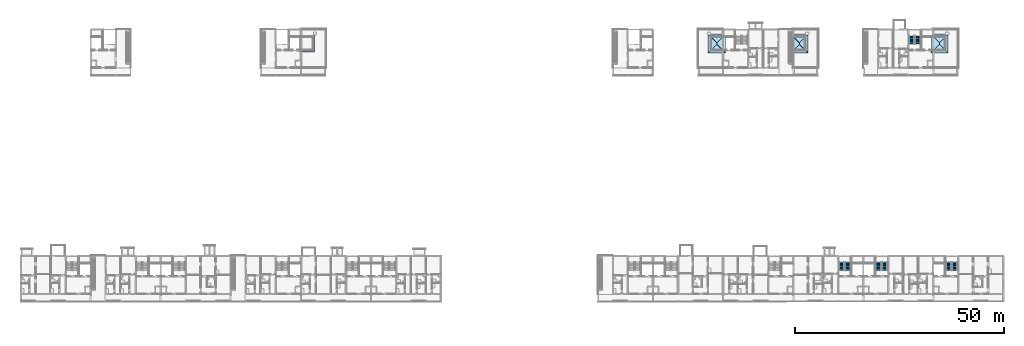
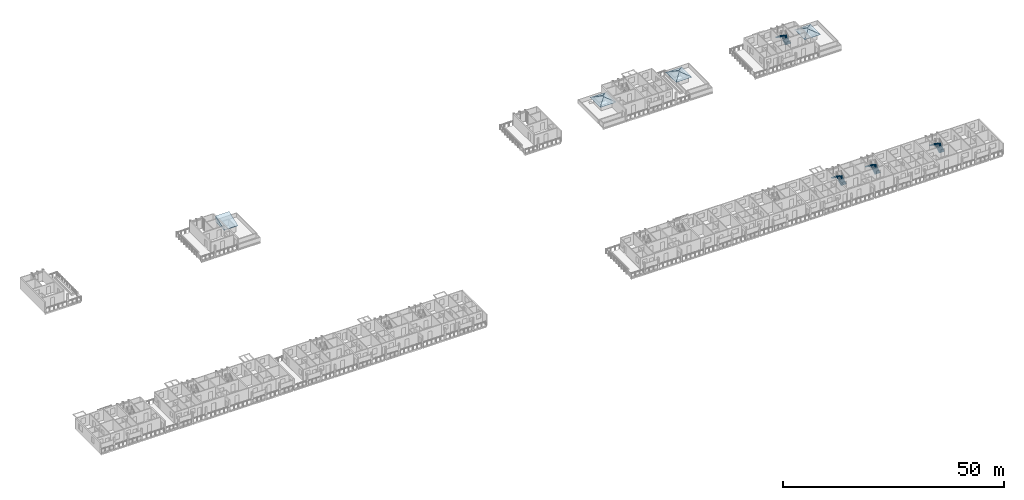
# One storey, part 54 of 78: 13 roofs, 8 stair flights, 4 elements without a shape of their own.
"""IFC4 building model written with IfcOpenShell, lengths in metres."""

from ifc_helpers import new_model, si_unit, direction, frame, origin, place, context, subcontext, project, spatial, polyline, outline, extrude, material, type_object, element, aggregate, save


model = new_model("IFC4")

# Units and contexts
model_context = context("Model", 3, precision=1e-05, world=origin(), true_north=direction((0.0, 1.0)))
body_context = subcontext(model_context, "Body", "Model", "MODEL_VIEW")
ifc_project = project(units=[si_unit("LENGTHUNIT", "METRE"), si_unit("AREAUNIT", "SQUARE_METRE"), si_unit("VOLUMEUNIT", "CUBIC_METRE"), si_unit("PLANEANGLEUNIT", "RADIAN"), si_unit("MASSUNIT", "GRAM", prefix="KILO")], contexts=[model_context])

# Site, building, storey
site_placement = place(None, origin())
site = spatial("IfcSite", under=ifc_project, at=site_placement, CompositionType="ELEMENT")
building_placement = place(site_placement, origin())
building = spatial("IfcBuilding", under=site, at=building_placement, Name="Ridgestep Commons", CompositionType="ELEMENT")
storey_placement = place(building_placement, frame((0.0, 0.0, 30.0)))
storey = spatial("IfcBuildingStorey", under=building, at=storey_placement, Name="L10", CompositionType="ELEMENT", Elevation=30.0)

# Stair, stair flights
ifc_material_1 = material(Name="Precast concrete C40/50", Category="concrete")
stair_type = type_object("IfcStairType", Name="Escape stair 1400", PredefinedType="HALF_TURN_STAIR", material=ifc_material_1)
stair_1_placement = place(storey_placement, origin())
stair_1 = element("IfcStair", 1, at=stair_1_placement, inside=storey, type_object=stair_type, Name="L10 Escape stair C5C", PredefinedType="HALF_TURN_STAIR")
ifc_material_2 = material(Name="Precast concrete C40/50", Category="concrete")
stair_flight_type = type_object("IfcStairFlightType", Name="Stair flight 1400", PredefinedType="STRAIGHT", material=ifc_material_2)
stair_flight_1_placement = place(storey_placement, frame((227.125, 73.60009765625, 0.0), z_axis=(0.0, 0.0, 1.0), x_axis=(0.0, 1.0, 0.0)))
stair_flight_1 = element("IfcStairFlight", 2, at=stair_flight_1_placement, type_object=stair_flight_type, Name="C5C flight 1", NumberOfRisers=8, NumberOfTreads=7, PredefinedType="STRAIGHT", RiserHeight=0.1875, TreadLength=0.28, context=body_context, shape_type="SweptSolid", body=[
    extrude(outline(polyline([(0.0, 0.0), (0.0, 0.1875), (0.280029296875, 0.1875), (0.280029296875, 0.375), (0.56005859375, 0.375), (0.56005859375, 0.5625), (0.840087890625, 0.5625), (0.840087890625, 0.75), (1.1201171875, 0.75), (1.1201171875, 0.9375), (1.39990234375, 0.9375), (1.39990234375, 1.125), (1.679931640625, 1.125), (1.679931640625, 1.3125), (1.9599609375, 1.3125), (1.9599609375, 1.5), (1.9599609375, 1.132080078125), (0.26953125, 0.0), (0.0, 0.0)])), frame((0.0, 0.699951171875, 0.0), z_axis=(0.0, -1.0, 0.0), x_axis=(1.0, 0.0, 0.0)), (0.0, 0.0, 1.0), 0.695068359375),
    extrude(outline(polyline([(0.0, 0.0), (0.0, 0.1875), (0.280029296875, 0.1875), (0.280029296875, 0.375), (0.56005859375, 0.375), (0.56005859375, 0.5625), (0.840087890625, 0.5625), (0.840087890625, 0.75), (1.1201171875, 0.75), (1.1201171875, 0.9375), (1.39990234375, 0.9375), (1.39990234375, 1.125), (1.679931640625, 1.125), (1.679931640625, 1.3125), (1.9599609375, 1.3125), (1.9599609375, 1.5), (1.9599609375, 1.132080078125), (0.26953125, 0.0), (0.0, 0.0)])), frame((0.0, -0.0048828125, 0.0), z_axis=(0.0, -1.0, 0.0), x_axis=(1.0, 0.0, 0.0)), (0.0, 0.0, 1.0), 0.695068359375),
])
stair_flight_2_placement = place(storey_placement, frame((225.625, 75.56005859375, 1.5), z_axis=(0.0, 0.0, 1.0), x_axis=(0.0, -1.0, 0.0)))
stair_flight_2 = element("IfcStairFlight", 3, at=stair_flight_2_placement, type_object=stair_flight_type, Name="C5C flight 2", NumberOfRisers=8, NumberOfTreads=7, PredefinedType="STRAIGHT", RiserHeight=0.1875, TreadLength=0.28, context=body_context, shape_type="SweptSolid", body=[
    extrude(outline(polyline([(0.0, 0.0), (0.0, 0.1875), (0.280029296875, 0.1875), (0.280029296875, 0.375), (0.56005859375, 0.375), (0.56005859375, 0.5625), (0.840087890625, 0.5625), (0.840087890625, 0.75), (1.1201171875, 0.75), (1.1201171875, 0.9375), (1.39990234375, 0.9375), (1.39990234375, 1.125), (1.679931640625, 1.125), (1.679931640625, 1.3125), (1.9599609375, 1.3125), (1.9599609375, 1.5), (1.9599609375, 1.132080078125), (0.26953125, 0.0), (0.0, 0.0)])), frame((0.0, 0.699951171875, 0.0), z_axis=(0.0, -1.0, 0.0), x_axis=(1.0, 0.0, 0.0)), (0.0, 0.0, 1.0), 0.695068359375),
    extrude(outline(polyline([(0.0, 0.0), (0.0, 0.1875), (0.280029296875, 0.1875), (0.280029296875, 0.375), (0.56005859375, 0.375), (0.56005859375, 0.5625), (0.840087890625, 0.5625), (0.840087890625, 0.75), (1.1201171875, 0.75), (1.1201171875, 0.9375), (1.39990234375, 0.9375), (1.39990234375, 1.125), (1.679931640625, 1.125), (1.679931640625, 1.3125), (1.9599609375, 1.3125), (1.9599609375, 1.5), (1.9599609375, 1.132080078125), (0.26953125, 0.0), (0.0, 0.0)])), frame((0.0, -0.0048828125, 0.0), z_axis=(0.0, -1.0, 0.0), x_axis=(1.0, 0.0, 0.0)), (0.0, 0.0, 1.0), 0.695068359375),
])
aggregate(stair_1, [stair_flight_1, stair_flight_2])

stair_2_placement = place(storey_placement, origin())
stair_2 = element("IfcStair", 4, at=stair_2_placement, inside=storey, type_object=stair_type, Name="L10 Escape stair D4C", PredefinedType="HALF_TURN_STAIR")
stair_flight_3_placement = place(storey_placement, frame((210.324951171875, 19.35009765625, 0.0), z_axis=(0.0, 0.0, 1.0), x_axis=(0.0, 1.0, 0.0)))
stair_flight_3 = element("IfcStairFlight", 5, at=stair_flight_3_placement, type_object=stair_flight_type, Name="D4C flight 1", NumberOfRisers=8, NumberOfTreads=7, PredefinedType="STRAIGHT", RiserHeight=0.1875, TreadLength=0.28, context=body_context, shape_type="SweptSolid", body=[
    extrude(outline(polyline([(0.0, 0.0), (0.0, 0.1875), (0.280029296875, 0.1875), (0.280029296875, 0.375), (0.56005859375, 0.375), (0.56005859375, 0.5625), (0.840087890625, 0.5625), (0.840087890625, 0.75), (1.1201171875, 0.75), (1.1201171875, 0.9375), (1.39990234375, 0.9375), (1.39990234375, 1.125), (1.679931640625, 1.125), (1.679931640625, 1.3125), (1.9599609375, 1.3125), (1.9599609375, 1.5), (1.9599609375, 1.132080078125), (0.26953125, 0.0), (0.0, 0.0)])), frame((0.0, 0.699951171875, 0.0), z_axis=(0.0, -1.0, 0.0), x_axis=(1.0, 0.0, 0.0)), (0.0, 0.0, 1.0), 0.695068359375),
    extrude(outline(polyline([(0.0, 0.0), (0.0, 0.1875), (0.280029296875, 0.1875), (0.280029296875, 0.375), (0.56005859375, 0.375), (0.56005859375, 0.5625), (0.840087890625, 0.5625), (0.840087890625, 0.75), (1.1201171875, 0.75), (1.1201171875, 0.9375), (1.39990234375, 0.9375), (1.39990234375, 1.125), (1.679931640625, 1.125), (1.679931640625, 1.3125), (1.9599609375, 1.3125), (1.9599609375, 1.5), (1.9599609375, 1.132080078125), (0.26953125, 0.0), (0.0, 0.0)])), frame((0.0, -0.0048828125, 0.0), z_axis=(0.0, -1.0, 0.0), x_axis=(1.0, 0.0, 0.0)), (0.0, 0.0, 1.0), 0.695068359375),
])
stair_flight_4_placement = place(storey_placement, frame((208.824951171875, 21.31005859375, 1.5), z_axis=(0.0, 0.0, 1.0), x_axis=(0.0, -1.0, 0.0)))
stair_flight_4 = element("IfcStairFlight", 6, at=stair_flight_4_placement, type_object=stair_flight_type, Name="D4C flight 2", NumberOfRisers=8, NumberOfTreads=7, PredefinedType="STRAIGHT", RiserHeight=0.1875, TreadLength=0.28, context=body_context, shape_type="SweptSolid", body=[
    extrude(outline(polyline([(0.0, 0.0), (0.0, 0.1875), (0.280029296875, 0.1875), (0.280029296875, 0.375), (0.56005859375, 0.375), (0.56005859375, 0.5625), (0.840087890625, 0.5625), (0.840087890625, 0.75), (1.1201171875, 0.75), (1.1201171875, 0.9375), (1.39990234375, 0.9375), (1.39990234375, 1.125), (1.679931640625, 1.125), (1.679931640625, 1.3125), (1.9599609375, 1.3125), (1.9599609375, 1.5), (1.9599609375, 1.132080078125), (0.26953125, 0.0), (0.0, 0.0)])), frame((0.0, 0.699951171875, 0.0), z_axis=(0.0, -1.0, 0.0), x_axis=(1.0, 0.0, 0.0)), (0.0, 0.0, 1.0), 0.695068359375),
    extrude(outline(polyline([(0.0, 0.0), (0.0, 0.1875), (0.280029296875, 0.1875), (0.280029296875, 0.375), (0.56005859375, 0.375), (0.56005859375, 0.5625), (0.840087890625, 0.5625), (0.840087890625, 0.75), (1.1201171875, 0.75), (1.1201171875, 0.9375), (1.39990234375, 0.9375), (1.39990234375, 1.125), (1.679931640625, 1.125), (1.679931640625, 1.3125), (1.9599609375, 1.3125), (1.9599609375, 1.5), (1.9599609375, 1.132080078125), (0.26953125, 0.0), (0.0, 0.0)])), frame((0.0, -0.0048828125, 0.0), z_axis=(0.0, -1.0, 0.0), x_axis=(1.0, 0.0, 0.0)), (0.0, 0.0, 1.0), 0.695068359375),
])
aggregate(stair_2, [stair_flight_3, stair_flight_4])

stair_3_placement = place(storey_placement, origin())
stair_3 = element("IfcStair", 7, at=stair_3_placement, inside=storey, type_object=stair_type, Name="L10 Escape stair D5C", PredefinedType="HALF_TURN_STAIR")
stair_flight_5_placement = place(storey_placement, frame((219.175048828125, 19.35009765625, 0.0), z_axis=(0.0, 0.0, 1.0), x_axis=(0.0, 1.0, 0.0)))
stair_flight_5 = element("IfcStairFlight", 8, at=stair_flight_5_placement, type_object=stair_flight_type, Name="D5C flight 1", NumberOfRisers=8, NumberOfTreads=7, PredefinedType="STRAIGHT", RiserHeight=0.1875, TreadLength=0.28, context=body_context, shape_type="SweptSolid", body=[
    extrude(outline(polyline([(0.0, 0.0), (0.0, 0.1875), (0.280029296875, 0.1875), (0.280029296875, 0.375), (0.56005859375, 0.375), (0.56005859375, 0.5625), (0.840087890625, 0.5625), (0.840087890625, 0.75), (1.1201171875, 0.75), (1.1201171875, 0.9375), (1.39990234375, 0.9375), (1.39990234375, 1.125), (1.679931640625, 1.125), (1.679931640625, 1.3125), (1.9599609375, 1.3125), (1.9599609375, 1.5), (1.9599609375, 1.132080078125), (0.26953125, 0.0), (0.0, 0.0)])), frame((0.0, 0.699951171875, 0.0), z_axis=(0.0, -1.0, 0.0), x_axis=(1.0, 0.0, 0.0)), (0.0, 0.0, 1.0), 0.695068359375),
    extrude(outline(polyline([(0.0, 0.0), (0.0, 0.1875), (0.280029296875, 0.1875), (0.280029296875, 0.375), (0.56005859375, 0.375), (0.56005859375, 0.5625), (0.840087890625, 0.5625), (0.840087890625, 0.75), (1.1201171875, 0.75), (1.1201171875, 0.9375), (1.39990234375, 0.9375), (1.39990234375, 1.125), (1.679931640625, 1.125), (1.679931640625, 1.3125), (1.9599609375, 1.3125), (1.9599609375, 1.5), (1.9599609375, 1.132080078125), (0.26953125, 0.0), (0.0, 0.0)])), frame((0.0, -0.0048828125, 0.0), z_axis=(0.0, -1.0, 0.0), x_axis=(1.0, 0.0, 0.0)), (0.0, 0.0, 1.0), 0.695068359375),
])
stair_flight_6_placement = place(storey_placement, frame((217.675048828125, 21.31005859375, 1.5), z_axis=(0.0, 0.0, 1.0), x_axis=(0.0, -1.0, 0.0)))
stair_flight_6 = element("IfcStairFlight", 9, at=stair_flight_6_placement, type_object=stair_flight_type, Name="D5C flight 2", NumberOfRisers=8, NumberOfTreads=7, PredefinedType="STRAIGHT", RiserHeight=0.1875, TreadLength=0.28, context=body_context, shape_type="SweptSolid", body=[
    extrude(outline(polyline([(0.0, 0.0), (0.0, 0.1875), (0.280029296875, 0.1875), (0.280029296875, 0.375), (0.56005859375, 0.375), (0.56005859375, 0.5625), (0.840087890625, 0.5625), (0.840087890625, 0.75), (1.1201171875, 0.75), (1.1201171875, 0.9375), (1.39990234375, 0.9375), (1.39990234375, 1.125), (1.679931640625, 1.125), (1.679931640625, 1.3125), (1.9599609375, 1.3125), (1.9599609375, 1.5), (1.9599609375, 1.132080078125), (0.26953125, 0.0), (0.0, 0.0)])), frame((0.0, 0.699951171875, 0.0), z_axis=(0.0, -1.0, 0.0), x_axis=(1.0, 0.0, 0.0)), (0.0, 0.0, 1.0), 0.695068359375),
    extrude(outline(polyline([(0.0, 0.0), (0.0, 0.1875), (0.280029296875, 0.1875), (0.280029296875, 0.375), (0.56005859375, 0.375), (0.56005859375, 0.5625), (0.840087890625, 0.5625), (0.840087890625, 0.75), (1.1201171875, 0.75), (1.1201171875, 0.9375), (1.39990234375, 0.9375), (1.39990234375, 1.125), (1.679931640625, 1.125), (1.679931640625, 1.3125), (1.9599609375, 1.3125), (1.9599609375, 1.5), (1.9599609375, 1.132080078125), (0.26953125, 0.0), (0.0, 0.0)])), frame((0.0, -0.0048828125, 0.0), z_axis=(0.0, -1.0, 0.0), x_axis=(1.0, 0.0, 0.0)), (0.0, 0.0, 1.0), 0.695068359375),
])
aggregate(stair_3, [stair_flight_5, stair_flight_6])

stair_4_placement = place(storey_placement, origin())
stair_4 = element("IfcStair", 10, at=stair_4_placement, inside=storey, type_object=stair_type, Name="L10 Escape stair D6C", PredefinedType="HALF_TURN_STAIR")
stair_flight_7_placement = place(storey_placement, frame((235.97509765625, 19.35009765625, 0.0), z_axis=(0.0, 0.0, 1.0), x_axis=(0.0, 1.0, 0.0)))
stair_flight_7 = element("IfcStairFlight", 11, at=stair_flight_7_placement, type_object=stair_flight_type, Name="D6C flight 1", NumberOfRisers=8, NumberOfTreads=7, PredefinedType="STRAIGHT", RiserHeight=0.1875, TreadLength=0.28, context=body_context, shape_type="SweptSolid", body=[
    extrude(outline(polyline([(0.0, 0.0), (0.0, 0.1875), (0.280029296875, 0.1875), (0.280029296875, 0.375), (0.56005859375, 0.375), (0.56005859375, 0.5625), (0.840087890625, 0.5625), (0.840087890625, 0.75), (1.1201171875, 0.75), (1.1201171875, 0.9375), (1.39990234375, 0.9375), (1.39990234375, 1.125), (1.679931640625, 1.125), (1.679931640625, 1.3125), (1.9599609375, 1.3125), (1.9599609375, 1.5), (1.9599609375, 1.132080078125), (0.26953125, 0.0), (0.0, 0.0)])), frame((0.0, 0.699951171875, 0.0), z_axis=(0.0, -1.0, 0.0), x_axis=(1.0, 0.0, 0.0)), (0.0, 0.0, 1.0), 0.695068359375),
    extrude(outline(polyline([(0.0, 0.0), (0.0, 0.1875), (0.280029296875, 0.1875), (0.280029296875, 0.375), (0.56005859375, 0.375), (0.56005859375, 0.5625), (0.840087890625, 0.5625), (0.840087890625, 0.75), (1.1201171875, 0.75), (1.1201171875, 0.9375), (1.39990234375, 0.9375), (1.39990234375, 1.125), (1.679931640625, 1.125), (1.679931640625, 1.3125), (1.9599609375, 1.3125), (1.9599609375, 1.5), (1.9599609375, 1.132080078125), (0.26953125, 0.0), (0.0, 0.0)])), frame((0.0, -0.0048828125, 0.0), z_axis=(0.0, -1.0, 0.0), x_axis=(1.0, 0.0, 0.0)), (0.0, 0.0, 1.0), 0.695068359375),
])
stair_flight_8_placement = place(storey_placement, frame((234.47509765625, 21.31005859375, 1.5), z_axis=(0.0, 0.0, 1.0), x_axis=(0.0, -1.0, 0.0)))
stair_flight_8 = element("IfcStairFlight", 12, at=stair_flight_8_placement, type_object=stair_flight_type, Name="D6C flight 2", NumberOfRisers=8, NumberOfTreads=7, PredefinedType="STRAIGHT", RiserHeight=0.1875, TreadLength=0.28, context=body_context, shape_type="SweptSolid", body=[
    extrude(outline(polyline([(0.0, 0.0), (0.0, 0.1875), (0.280029296875, 0.1875), (0.280029296875, 0.375), (0.56005859375, 0.375), (0.56005859375, 0.5625), (0.840087890625, 0.5625), (0.840087890625, 0.75), (1.1201171875, 0.75), (1.1201171875, 0.9375), (1.39990234375, 0.9375), (1.39990234375, 1.125), (1.679931640625, 1.125), (1.679931640625, 1.3125), (1.9599609375, 1.3125), (1.9599609375, 1.5), (1.9599609375, 1.132080078125), (0.26953125, 0.0), (0.0, 0.0)])), frame((0.0, 0.699951171875, 0.0), z_axis=(0.0, -1.0, 0.0), x_axis=(1.0, 0.0, 0.0)), (0.0, 0.0, 1.0), 0.695068359375),
    extrude(outline(polyline([(0.0, 0.0), (0.0, 0.1875), (0.280029296875, 0.1875), (0.280029296875, 0.375), (0.56005859375, 0.375), (0.56005859375, 0.5625), (0.840087890625, 0.5625), (0.840087890625, 0.75), (1.1201171875, 0.75), (1.1201171875, 0.9375), (1.39990234375, 0.9375), (1.39990234375, 1.125), (1.679931640625, 1.125), (1.679931640625, 1.3125), (1.9599609375, 1.3125), (1.9599609375, 1.5), (1.9599609375, 1.132080078125), (0.26953125, 0.0), (0.0, 0.0)])), frame((0.0, -0.0048828125, 0.0), z_axis=(0.0, -1.0, 0.0), x_axis=(1.0, 0.0, 0.0)), (0.0, 0.0, 1.0), 0.695068359375),
])
aggregate(stair_4, [stair_flight_7, stair_flight_8])

# Roofs
ifc_material_3 = material(Name="Zinc-aluminium profiled sheet", Category="aluminium")
roof_type_1 = type_object("IfcRoofType", Name="Hipped crown 4175 x 4600", PredefinedType="HIP_ROOF", material=ifc_material_3)
roof_1_placement = place(storey_placement, frame((176.824951171875, 71.39990234375, 1.540283203125), z_axis=(-0.422583717399, 0.0, 0.906323894526), x_axis=(0.0, 1.0, 0.0)))
element("IfcRoof", 13, at=roof_1_placement, inside=storey, type_object=roof_type_1, Name="Hipped crown C2C plane 1", PredefinedType="HIP_ROOF", context=body_context, shape_type="SweptSolid", body=[
    extrude(outline(polyline([(0.0, 0.0), (4.60009765625, 0.0), (2.5126953125, -2.303422095547812), (2.087646484375, -2.303422095547812), (0.0, 0.0)])), origin(), (0.0, 0.0, -1.0), 0.1201171875),
])
roof_2_placement = place(storey_placement, frame((181.0, 76.0, 1.540283203125), z_axis=(0.422624314956, 0.0, 0.906304964352), x_axis=(0.0, -1.0, 0.0)))
element("IfcRoof", 14, at=roof_2_placement, inside=storey, type_object=roof_type_1, Name="Hipped crown C2C plane 2", PredefinedType="HIP_ROOF", context=body_context, shape_type="SweptSolid", body=[
    extrude(outline(polyline([(0.0, 0.0), (4.60009765625, 0.0), (2.512451171875, -2.303200827376451), (2.08740234375, -2.303200827376451), (0.0, 0.0)])), origin(), (0.0, 0.0, -1.0), 0.1201171875),
])
roof_3_placement = place(storey_placement, frame((181.0, 71.39990234375, 1.540283203125), z_axis=(0.0, -0.422583717399, 0.906323894526), x_axis=(-1.0, 0.0, 0.0)))
element("IfcRoof", 15, at=roof_3_placement, inside=storey, type_object=roof_type_1, Name="Hipped crown C2C plane 3", PredefinedType="HIP_ROOF", context=body_context, shape_type="SweptSolid", body=[
    extrude(outline(polyline([(0.0, 0.0), (4.175048828125, 0.0), (2.08740234375, -2.303422095547812), (0.0, 0.0)])), origin(), (0.0, 0.0, -1.0), 0.1201171875),
])
roof_4_placement = place(storey_placement, frame((176.824951171875, 76.0, 1.540283203125), z_axis=(0.0, 0.422624314956, 0.906304964352), x_axis=(1.0, 0.0, 0.0)))
element("IfcRoof", 16, at=roof_4_placement, inside=storey, type_object=roof_type_1, Name="Hipped crown C2C plane 4", PredefinedType="HIP_ROOF", context=body_context, shape_type="SweptSolid", body=[
    extrude(outline(polyline([(0.0, 0.0), (4.175048828125, 0.0), (2.087646484375, -2.303200827376451), (0.0, 0.0)])), origin(), (0.0, 0.0, -1.0), 0.1201171875),
])
roof_5_placement = place(storey_placement, frame((196.60009765625, 71.39990234375, 1.540283203125), z_axis=(-0.422624314956, 0.0, 0.906304964352), x_axis=(0.0, 1.0, 0.0)))
element("IfcRoof", 17, at=roof_5_placement, inside=storey, type_object=roof_type_1, Name="Hipped crown C4C plane 1", PredefinedType="HIP_ROOF", context=body_context, shape_type="SweptSolid", body=[
    extrude(outline(polyline([(0.0, 0.0), (4.60009765625, 0.0), (2.5126953125, -2.303200827376451), (2.087646484375, -2.303200827376451), (0.0, 0.0)])), origin(), (0.0, 0.0, -1.0), 0.1201171875),
])
roof_6_placement = place(storey_placement, frame((200.77490234375, 76.0, 1.540283203125), z_axis=(0.422624314956, 0.0, 0.906304964352), x_axis=(0.0, -1.0, 0.0)))
element("IfcRoof", 18, at=roof_6_placement, inside=storey, type_object=roof_type_1, Name="Hipped crown C4C plane 2", PredefinedType="HIP_ROOF", context=body_context, shape_type="SweptSolid", body=[
    extrude(outline(polyline([(0.0, 0.0), (4.60009765625, 0.0), (2.512451171875, -2.303200827376451), (2.08740234375, -2.303200827376451), (0.0, 0.0)])), origin(), (0.0, 0.0, -1.0), 0.1201171875),
])
roof_7_placement = place(storey_placement, frame((200.77490234375, 71.39990234375, 1.540283203125), z_axis=(0.0, -0.422583717399, 0.906323894526), x_axis=(-1.0, 0.0, 0.0)))
element("IfcRoof", 19, at=roof_7_placement, inside=storey, type_object=roof_type_1, Name="Hipped crown C4C plane 3", PredefinedType="HIP_ROOF", context=body_context, shape_type="SweptSolid", body=[
    extrude(outline(polyline([(0.0, 0.0), (4.1748046875, 0.0), (2.08740234375, -2.303422095547812), (0.0, 0.0)])), origin(), (0.0, 0.0, -1.0), 0.1201171875),
])
roof_8_placement = place(storey_placement, frame((196.60009765625, 76.0, 1.540283203125), z_axis=(0.0, 0.422624314956, 0.906304964352), x_axis=(1.0, 0.0, 0.0)))
element("IfcRoof", 20, at=roof_8_placement, inside=storey, type_object=roof_type_1, Name="Hipped crown C4C plane 4", PredefinedType="HIP_ROOF", context=body_context, shape_type="SweptSolid", body=[
    extrude(outline(polyline([(0.0, 0.0), (4.1748046875, 0.0), (2.08740234375, -2.3032008273764513), (0.0, 0.0)])), origin(), (0.0, 0.0, -1.0), 0.1201171875),
])
roof_9_placement = place(storey_placement, frame((230.199951171875, 71.39990234375, 1.540283203125), z_axis=(-0.422583717399, 0.0, 0.906323894526), x_axis=(0.0, 1.0, 0.0)))
element("IfcRoof", 21, at=roof_9_placement, inside=storey, type_object=roof_type_1, Name="Hipped crown C6C plane 1", PredefinedType="HIP_ROOF", context=body_context, shape_type="SweptSolid", body=[
    extrude(outline(polyline([(0.0, 0.0), (4.60009765625, 0.0), (2.5126953125, -2.303422095547812), (2.087646484375, -2.303422095547812), (0.0, 0.0)])), origin(), (0.0, 0.0, -1.0), 0.1201171875),
])
roof_10_placement = place(storey_placement, frame((234.375, 76.0, 1.540283203125), z_axis=(0.422624314956, 0.0, 0.906304964352), x_axis=(0.0, -1.0, 0.0)))
element("IfcRoof", 22, at=roof_10_placement, inside=storey, type_object=roof_type_1, Name="Hipped crown C6C plane 2", PredefinedType="HIP_ROOF", context=body_context, shape_type="SweptSolid", body=[
    extrude(outline(polyline([(0.0, 0.0), (4.60009765625, 0.0), (2.512451171875, -2.303200827376451), (2.08740234375, -2.303200827376451), (0.0, 0.0)])), origin(), (0.0, 0.0, -1.0), 0.1201171875),
])
roof_11_placement = place(storey_placement, frame((234.375, 71.39990234375, 1.540283203125), z_axis=(0.0, -0.422583717399, 0.906323894526), x_axis=(-1.0, 0.0, 0.0)))
element("IfcRoof", 23, at=roof_11_placement, inside=storey, type_object=roof_type_1, Name="Hipped crown C6C plane 3", PredefinedType="HIP_ROOF", context=body_context, shape_type="SweptSolid", body=[
    extrude(outline(polyline([(0.0, 0.0), (4.175048828125, 0.0), (2.08740234375, -2.303422095547812), (0.0, 0.0)])), origin(), (0.0, 0.0, -1.0), 0.1201171875),
])
roof_12_placement = place(storey_placement, frame((230.199951171875, 76.0, 1.540283203125), z_axis=(0.0, 0.422624314956, 0.906304964352), x_axis=(1.0, 0.0, 0.0)))
element("IfcRoof", 24, at=roof_12_placement, inside=storey, type_object=roof_type_1, Name="Hipped crown C6C plane 4", PredefinedType="HIP_ROOF", context=body_context, shape_type="SweptSolid", body=[
    extrude(outline(polyline([(0.0, 0.0), (4.175048828125, 0.0), (2.087646484375, -2.303200827376451), (0.0, 0.0)])), origin(), (0.0, 0.0, -1.0), 0.1201171875),
])
ifc_material_4 = material(Name="Zinc-aluminium profiled sheet", Category="aluminium")
roof_type_2 = type_object("IfcRoofType", Name="Monopitch crown 3575 x 4000", PredefinedType="SHED_ROOF", material=ifc_material_4)
roof_13_placement = place(storey_placement, frame((80.6875, 75.699951171875, 1.699951171875), z_axis=(0.0, 0.0, 1.0), x_axis=(0.0, -1.0, 0.0)))
element("IfcRoof", 25, at=roof_13_placement, inside=storey, type_object=roof_type_2, Name="Monopitch crown B5C", PredefinedType="SHED_ROOF", context=body_context, shape_type="SweptSolid", body=[
    extrude(outline(polyline([(0.0, 0.0), (4.0, 0.0), (4.0, 0.1201171875), (0.0, 1.575927734375), (0.0, 0.0)])), frame((0.0, 1.78759765625, 0.0), z_axis=(0.0, -1.0, 0.0), x_axis=(1.0, 0.0, 0.0)), (0.0, 0.0, 1.0), 3.574951171875),
])

save(model, "model.ifc")
